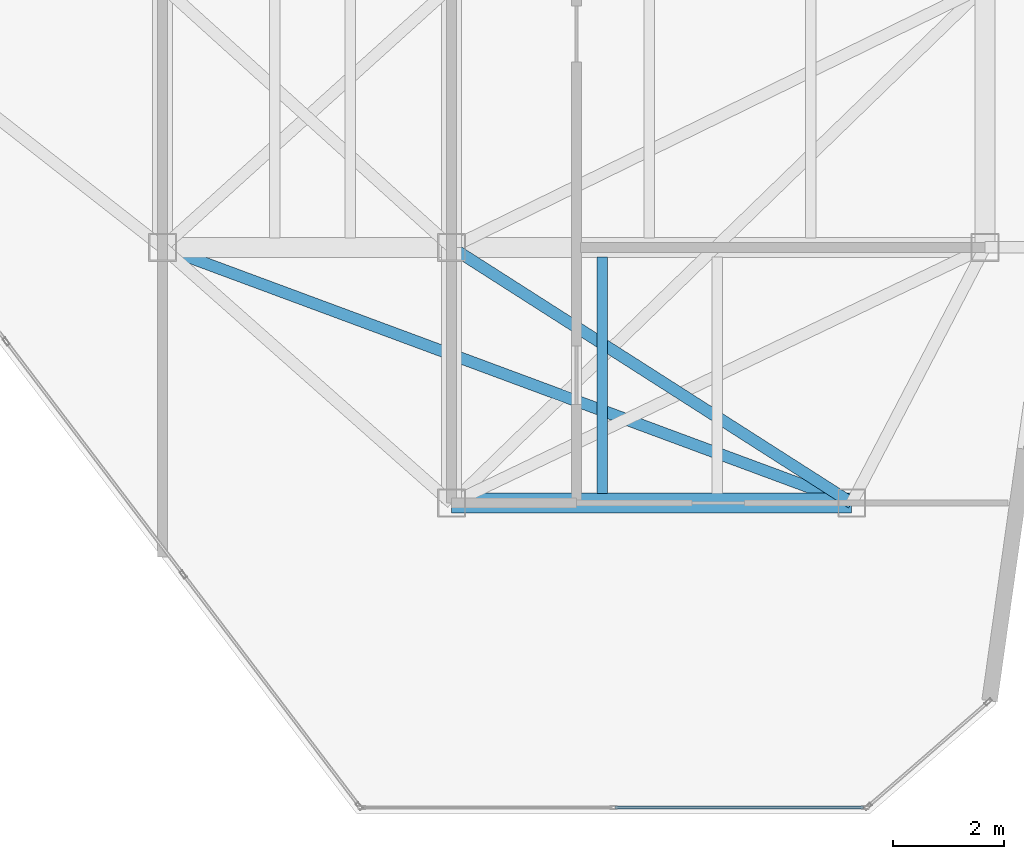
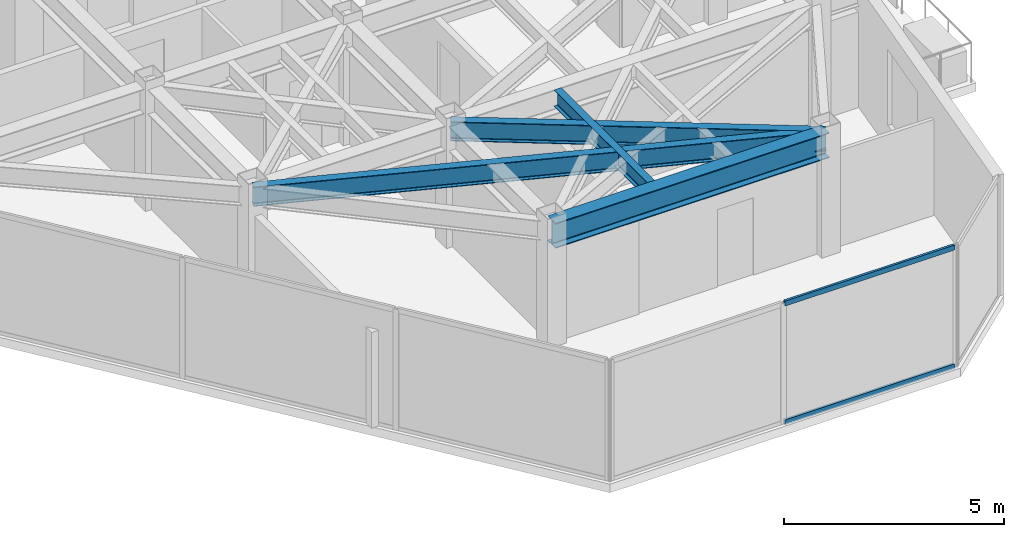
# One storey, part 13 of 20: 4 beams, 2 members, 1 element without a shape of its own.
"""IFC4 building model written with IfcOpenShell, lengths in metres."""

from ifc_helpers import new_model, si_unit, direction, frame, origin, origin_2d, place, context, subcontext, project, spatial, hollow_rectangle, i_section, extrude, material, layer, layer_set, material_profile, profile_set, type_object, element, aggregate, save


model = new_model("IFC4")

# Units and contexts
model_context = context("Model", 3, precision=1e-05, world=origin(), true_north=direction((0.0, 1.0)))
body_context = subcontext(model_context, "Body", "Model", "MODEL_VIEW")
ifc_project = project(units=[si_unit("LENGTHUNIT", "METRE"), si_unit("AREAUNIT", "SQUARE_METRE"), si_unit("VOLUMEUNIT", "CUBIC_METRE"), si_unit("PLANEANGLEUNIT", "RADIAN"), si_unit("MASSUNIT", "GRAM", prefix="KILO")], contexts=[model_context])

# Site, building, storey
site_placement = place(None, origin())
site = spatial("IfcSite", under=ifc_project, at=site_placement, CompositionType="ELEMENT")
building_placement = place(site_placement, origin())
building = spatial("IfcBuilding", under=site, at=building_placement, Name="Kravanh Interchange Tower", CompositionType="ELEMENT")
storey_placement = place(building_placement, frame((0.0, 0.0, 234.60009765625)))
storey = spatial("IfcBuildingStorey", under=building, at=storey_placement, Name="L56", CompositionType="ELEMENT", Elevation=234.60009765625)

# Curtain wall, members
ifc_material_1 = material(Name="Anodised Bronze Aluminium", Category="aluminium")
ifc_layer = layer(ifc_material_1, 0.179931640625)
ifc_layer_set = layer_set([ifc_layer], Name="Unitised Curtain Wall System CW-HTL Luxury Hotel")
curtain_wall_type = type_object("IfcCurtainWallType", Name="Unitised Curtain Wall System CW-HTL Luxury Hotel", PredefinedType="NOTDEFINED", material=ifc_layer_set)
curtain_wall_placement = place(storey_placement, origin())
curtain_wall = element("IfcCurtainWall", 1, at=curtain_wall_placement, inside=storey, type_object=curtain_wall_type, Name="L56 Unitised Curtain Wall CW-L56-03", PredefinedType="NOTDEFINED")
ifc_material_2 = material(Name="Anodised Bronze Aluminium", Category="aluminium")
ifc_material_profile_1 = material_profile(ifc_material_2, hollow_rectangle(XDim=0.06005859375, YDim=0.139892578125, WallThickness=0.00390625, at=origin_2d()), Name="ALU60X140X4")
ifc_profile_set_1 = profile_set([ifc_material_profile_1], Name="Anodised Bronze Aluminium")
member_type = type_object("IfcMemberType", Name="Curtain Wall Transom ALU60X140X4 Bronze", PredefinedType="USERDEFINED", material=ifc_profile_set_1)
member_1_placement = place(storey_placement, frame((63.411865234375, 16.719970703125, 0.02978515625), z_axis=(-1.0, 0.0, 0.0), x_axis=(0.0, -1.0, 0.0)))
member_1 = element("IfcMember", 2, at=member_1_placement, type_object=member_type, Name="CW-HTL transom 1.1", ObjectType="TRANSOM", PredefinedType="USERDEFINED", context=body_context, shape_type="SweptSolid", body=[
    extrude(hollow_rectangle(XDim=0.06005859375, YDim=0.139892578125, WallThickness=0.00390625, at=origin_2d()), origin(), (0.0, 0.0, 1.0), 4.46630859375),
])
member_2_placement = place(storey_placement, frame((63.411865234375, 16.719970703125, 3.329833984375), z_axis=(-1.0, 0.0, 0.0), x_axis=(0.0, -1.0, 0.0)))
member_2 = element("IfcMember", 3, at=member_2_placement, type_object=member_type, Name="CW-HTL transom 1.2", ObjectType="TRANSOM", PredefinedType="USERDEFINED", context=body_context, shape_type="SweptSolid", body=[
    extrude(hollow_rectangle(XDim=0.06005859375, YDim=0.139892578125, WallThickness=0.00390625, at=origin_2d()), origin(), (0.0, 0.0, 1.0), 4.46630859375),
])
aggregate(curtain_wall, [member_1, member_2])

# Beams
ifc_material_3 = material(Name="Structural Steel S355", Category="steel")
ifc_material_profile_2 = material_profile(ifc_material_3, i_section(OverallWidth=0.35498046875, OverallDepth=0.696044921875, WebThickness=0.015380859375, FlangeThickness=0.02490234375, FilletRadius=0.02392578125, at=origin_2d()), Name="W27X146")
ifc_profile_set_2 = profile_set([ifc_material_profile_2], Name="Structural Steel S355")
beam_type_1 = type_object("IfcBeamType", Name="Floor Beam W27X146 Structural Steel S355", PredefinedType="BEAM", material=ifc_profile_set_2)
beam_1_placement = place(storey_placement, frame((56.0, 22.199951171875, 3.011962890625), z_axis=(1.0, 0.0, 0.0), x_axis=(0.0, 1.0, 0.0)))
element("IfcBeam", 4, at=beam_1_placement, inside=storey, type_object=beam_type_1, Name="L56 Primary Floor Girder 39", PredefinedType="BEAM", context=body_context, shape_type="SweptSolid", body=[
    extrude(i_section(OverallWidth=0.35498046875, OverallDepth=0.696044921875, WebThickness=0.015380859375, FlangeThickness=0.02490234375, FilletRadius=0.02392578125, at=origin_2d()), origin(), (0.0, 0.0, 1.0), 7.199951171875),
])
ifc_material_4 = material(Name="Structural Steel S355", Category="steel")
ifc_material_profile_3 = material_profile(ifc_material_4, i_section(OverallWidth=0.18994140625, OverallDepth=0.45703125, WebThickness=0.009033203125, FlangeThickness=0.014404296875, FilletRadius=0.01806640625, at=origin_2d()), Name="W18X50")
ifc_profile_set_3 = profile_set([ifc_material_profile_3], Name="Structural Steel S355")
beam_type_2 = type_object("IfcBeamType", Name="Floor Joist W18X50 Structural Steel S355", PredefinedType="JOIST", material=ifc_profile_set_3)
beam_2_placement = place(storey_placement, frame((58.715087890625, 22.37255859375, 3.13134765625), z_axis=(0.0, 1.0, 0.0), x_axis=(-1.0, 0.0, 0.0)))
element("IfcBeam", 5, at=beam_2_placement, inside=storey, type_object=beam_type_2, Name="L56 Secondary Floor Joist 1", PredefinedType="JOIST", context=body_context, shape_type="SweptSolid", body=[
    extrude(i_section(OverallWidth=0.18994140625, OverallDepth=0.45703125, WebThickness=0.009033203125, FlangeThickness=0.014404296875, FilletRadius=0.01806640625, at=origin_2d()), origin(), (0.0, 0.0, 1.0), 4.2548828125),
])
ifc_material_5 = material(Name="Structural Steel S355", Category="steel")
ifc_material_profile_4 = material_profile(ifc_material_5, i_section(OverallWidth=0.2099609375, OverallDepth=0.537109375, WebThickness=0.010986328125, FlangeThickness=0.017333984375, FilletRadius=0.02001953125, at=origin_2d()), Name="W21X68")
ifc_profile_set_4 = profile_set([ifc_material_profile_4], Name="Structural Steel S355")
beam_type_3 = type_object("IfcBeamType", Name="Floor Spandrel W21X68 Structural Steel S355", PredefinedType="SPANDREL", material=ifc_profile_set_4)
beam_3_placement = place(storey_placement, frame((50.800048828125, 26.800048828125, 3.09130859375), z_axis=(0.937562917338, -0.347815721372, 0.0), x_axis=(0.347815721372, 0.937562917338, 0.0)))
element("IfcBeam", 6, at=beam_3_placement, inside=storey, type_object=beam_type_3, Name="L56 Perimeter Spandrel 33", PredefinedType="SPANDREL", context=body_context, shape_type="SweptSolid", body=[
    extrude(i_section(OverallWidth=0.2099609375, OverallDepth=0.537109375, WebThickness=0.010986328125, FlangeThickness=0.017333984375, FilletRadius=0.02001953125, at=origin_2d()), origin(), (0.0, 0.0, 1.0), 13.2255859375),
])
beam_4_placement = place(storey_placement, frame((56.0, 26.800048828125, 3.09130859375), z_axis=(0.842689417531, -0.53839998661, 0.0), x_axis=(0.53839998661, 0.842689417531, 0.0)))
element("IfcBeam", 7, at=beam_4_placement, inside=storey, type_object=beam_type_3, Name="L56 Perimeter Spandrel 35", PredefinedType="SPANDREL", context=body_context, shape_type="SweptSolid", body=[
    extrude(i_section(OverallWidth=0.2099609375, OverallDepth=0.537109375, WebThickness=0.010986328125, FlangeThickness=0.017333984375, FilletRadius=0.02001953125, at=origin_2d()), origin(), (0.0, 0.0, 1.0), 8.5439453125),
])

save(model, "model.ifc")
